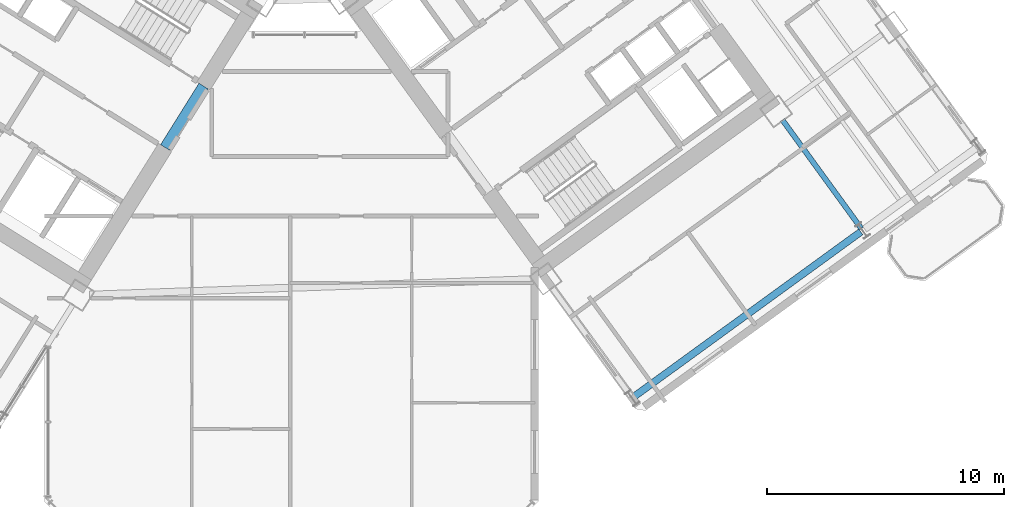
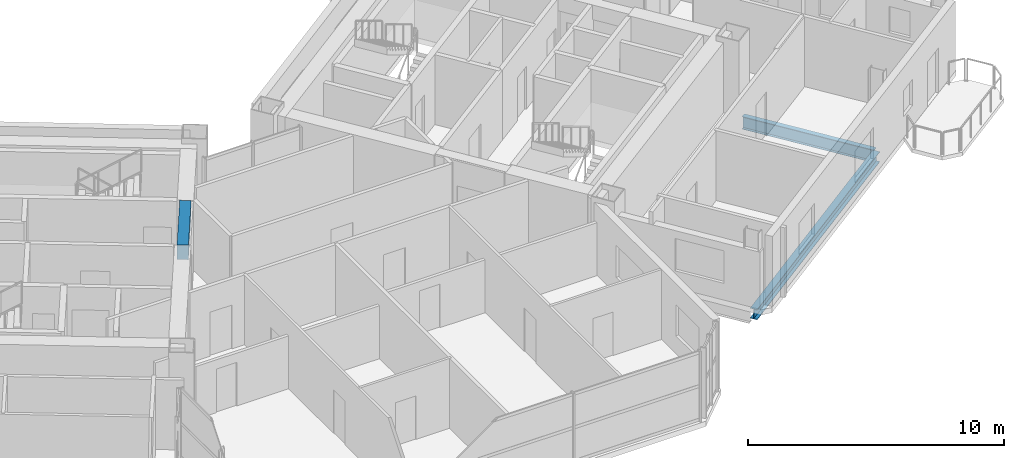
# One storey, part 10 of 24: 3 beams.
"""IFC4 building model written with IfcOpenShell, lengths in metres."""

from ifc_helpers import new_model, si_unit, direction, frame, origin, origin_2d, place, context, subcontext, project, spatial, rectangle, i_section, extrude, source, transform, mapped, material, material_profile, profile_set, type_object, element, save


model = new_model("IFC4")

# Units and contexts
model_context = context("Model", 3, precision=1e-05, world=origin(), true_north=direction((0.0, 1.0)))
body_context = subcontext(model_context, "Body", "Model", "MODEL_VIEW")
ifc_project = project(units=[si_unit("LENGTHUNIT", "METRE"), si_unit("AREAUNIT", "SQUARE_METRE"), si_unit("VOLUMEUNIT", "CUBIC_METRE"), si_unit("PLANEANGLEUNIT", "RADIAN"), si_unit("MASSUNIT", "GRAM", prefix="KILO")], contexts=[model_context])

# Site, building, storey
site_placement = place(None, origin())
site = spatial("IfcSite", under=ifc_project, at=site_placement, CompositionType="ELEMENT")
building_placement = place(site_placement, origin())
building = spatial("IfcBuilding", under=site, at=building_placement, Name="Tlacorven Tower", CompositionType="ELEMENT")
storey_placement = place(building_placement, frame((0.0, 0.0, 60.0)))
storey = spatial("IfcBuildingStorey", under=building, at=storey_placement, Name="L15", CompositionType="ELEMENT", Elevation=60.0)

# Beams
ifc_material_1 = material(Name="Concrete C60/75", Category="concrete")
ifc_material_profile_1 = material_profile(ifc_material_1, rectangle(XDim=0.449951171875, YDim=0.699951171875, at=origin_2d()), Name="RC 450X700")
ifc_profile_set_1 = profile_set([ifc_material_profile_1], Name="Concrete C60/75")
beam_type_1 = type_object("IfcBeamType", Name="BM-LNT-700", PredefinedType="LINTEL", material=ifc_profile_set_1)
shared_shape_1 = source(origin(), body_context, "Body", "SweptSolid", [
    extrude(rectangle(XDim=0.449951171875, YDim=0.699951171875, at=origin_2d()), origin(), (0.0, 0.0, 1.0), 3.050048828125),
])
beam_1_placement = place(storey_placement, frame((38.2998046875, 20.890625, 3.0), z_axis=(-0.529984549635, -0.848007297815, 0.0), x_axis=(0.848007297815, -0.529984549635, 0.0)))
element("IfcBeam", 1, at=beam_1_placement, inside=storey, type_object=beam_type_1, Name="L15 W core coupling lintel beam E1", PredefinedType="LINTEL", context=body_context, shape_type="MappedRepresentation", body=[
    mapped(shared_shape_1, transform((0.0, 0.0, 0.0), scale=1.0)),
])
ifc_material_2 = material(Name="Steel S355J2", Category="steel")
ifc_material_profile_2 = material_profile(ifc_material_2, i_section(OverallWidth=0.219970703125, OverallDepth=0.60009765625, WebThickness=0.011962890625, FlangeThickness=0.01904296875, at=origin_2d()), Name="IPE 600")
ifc_profile_set_2 = profile_set([ifc_material_profile_2], Name="Steel S355J2")
beam_type_2 = type_object("IfcBeamType", Name="BM-TWR-600", PredefinedType="BEAM", material=ifc_profile_set_2)
shared_shape_2 = source(origin(), body_context, "Body", "SweptSolid", [
    extrude(i_section(OverallWidth=0.219970703125, OverallDepth=0.60009765625, WebThickness=0.011962890625, FlangeThickness=0.01904296875, at=origin_2d()), origin(), (0.0, 0.0, 1.0), 5.64990234375),
])
beam_2_placement = place(storey_placement, frame((65.9990234375, 14.891845703125, -0.550048828125), z_axis=(-0.587755393186, 0.809038687444, 0.0), x_axis=(-0.809038687444, -0.587755393186, 0.0)))
element("IfcBeam", 2, at=beam_2_placement, inside=storey, type_object=beam_type_2, Name="L15 beam BM-L15-ET3-1", PredefinedType="BEAM", context=body_context, shape_type="MappedRepresentation", body=[
    mapped(shared_shape_2, transform((0.0, 0.0, 0.0), scale=1.0)),
])
ifc_material_profile_3 = material_profile(ifc_material_2, i_section(OverallWidth=0.300048828125, OverallDepth=0.489990234375, WebThickness=0.011962890625, FlangeThickness=0.02294921875, at=origin_2d()), Name="HEA 500")
ifc_profile_set_3 = profile_set([ifc_material_profile_3], Name="Steel S355J2")
beam_type_3 = type_object("IfcBeamType", Name="BM-SPN-500", PredefinedType="SPANDREL", material=ifc_profile_set_3)
shared_shape_3 = source(origin(), body_context, "Body", "SweptSolid", [
    extrude(i_section(OverallWidth=0.300048828125, OverallDepth=0.489990234375, WebThickness=0.011962890625, FlangeThickness=0.02294921875, at=origin_2d()), origin(), (0.0, 0.0, 1.0), 11.800048828125),
])
beam_3_placement = place(storey_placement, frame((56.4306640625, 7.816162109375, -0.4951171875), z_axis=(0.80900977213, 0.587795192732, 0.0), x_axis=(-0.587795192732, 0.80900977213, 0.0)))
element("IfcBeam", 3, at=beam_3_placement, inside=storey, type_object=beam_type_3, Name="L15 beam BM-L15-EL1-1", PredefinedType="SPANDREL", context=body_context, shape_type="MappedRepresentation", body=[
    mapped(shared_shape_3, transform((0.0, 0.0, 0.0), scale=1.0)),
])

save(model, "model.ifc")
